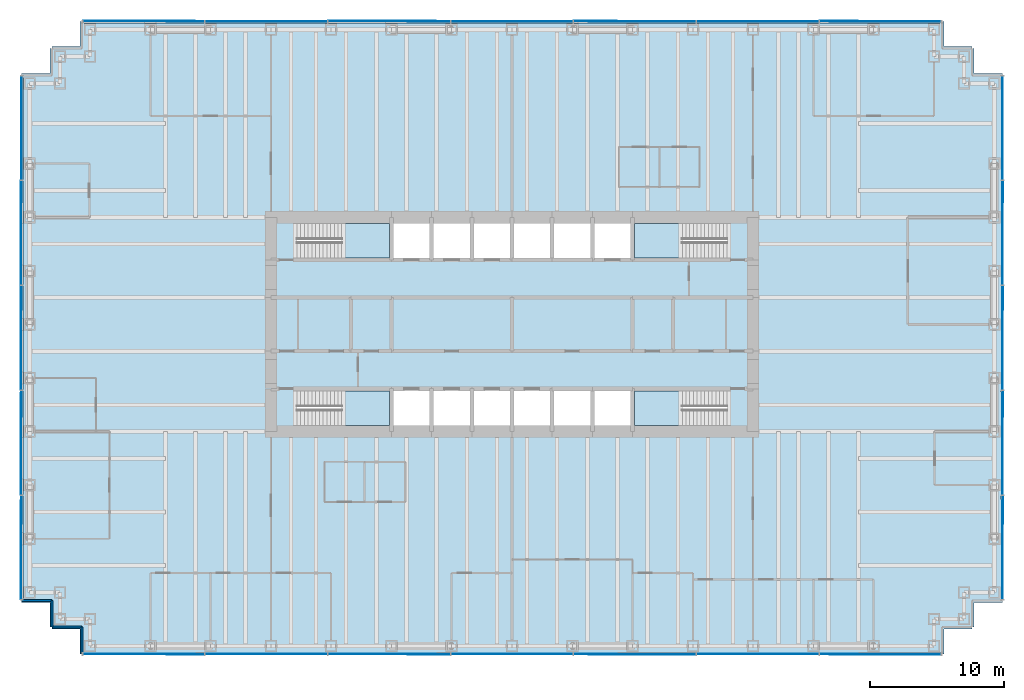
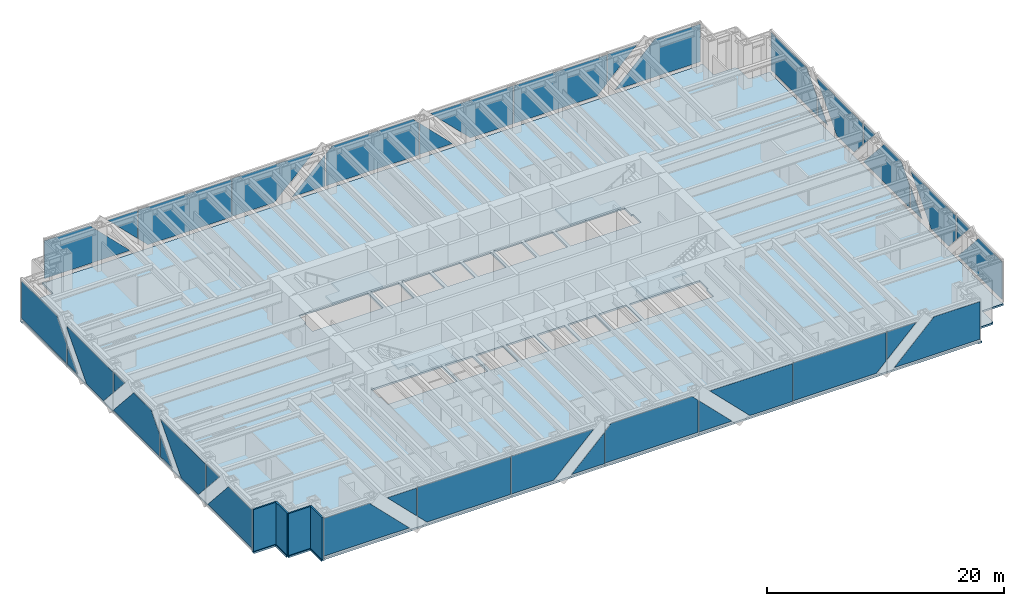
# One storey, part 8 of 13: 40 plates, 5 slabs, 4 walls, 8 elements without a shape of their own.
"""IFC4 building model written with IfcOpenShell, lengths in metres."""

from ifc_helpers import new_model, si_unit, direction, frame, frame_2d, origin, place, context, subcontext, project, spatial, polyline, rectangle, outline, extrude, material, layer, layer_set, type_object, element, aggregate, save


model = new_model("IFC4")

# Units and contexts
model_context = context("Model", 3, precision=1e-05, world=origin(), true_north=direction((0.0, 1.0)))
body_context = subcontext(model_context, "Body", "Model", "MODEL_VIEW")
ifc_project = project(units=[si_unit("LENGTHUNIT", "METRE"), si_unit("AREAUNIT", "SQUARE_METRE"), si_unit("VOLUMEUNIT", "CUBIC_METRE"), si_unit("PLANEANGLEUNIT", "RADIAN"), si_unit("MASSUNIT", "GRAM", prefix="KILO")], contexts=[model_context])

# Site, building, storey
site_placement = place(None, origin())
site = spatial("IfcSite", under=ifc_project, at=site_placement, CompositionType="ELEMENT")
building_placement = place(site_placement, origin())
building = spatial("IfcBuilding", under=site, at=building_placement, Name="Rheinbord Bourse Tower", CompositionType="ELEMENT")
storey_placement = place(building_placement, frame((0.0, 0.0, 54.5)))
storey = spatial("IfcBuildingStorey", under=building, at=storey_placement, Name="L11", CompositionType="ELEMENT", Elevation=54.5)

# Slab
ifc_material_1 = material(Name="Concrete C30/37", Category="concrete")
ifc_layer_1 = layer(ifc_material_1, 0.179931640625)
ifc_layer_set_1 = layer_set([ifc_layer_1], Name="COMPOSITE FLOOR SLAB 180")
slab_type_1 = type_object("IfcSlabType", Name="COMPOSITE FLOOR SLAB 180", PredefinedType="FLOOR", material=ifc_layer_set_1)
slab_1_placement = place(storey_placement, frame((0.0, 0.0, -0.179931640625)))
element("IfcSlab", 1, at=slab_1_placement, inside=storey, type_object=slab_type_1, Name="Floor slab L11", PredefinedType="FLOOR", context=body_context, shape_type="SweptSolid", body=[
    extrude(outline(polyline([(1.64990234375, 1.39990234375), (1.5, 1.39990234375), (1.5, 3.25), (-0.60009765625, 3.25), (-0.60009765625, 3.550048828125), (-0.5, 3.550048828125), (-0.5, 42.449951171875), (-0.60009765625, 42.449951171875), (-0.60009765625, 42.75), (1.5, 42.75), (1.5, 44.60009765625), (1.64990234375, 44.60009765625), (1.64990234375, 44.75), (3.75, 44.75), (3.75, 46.60009765625), (4.050048828125, 46.60009765625), (4.050048828125, 46.5), (67.949951171875, 46.5), (67.949951171875, 46.60009765625), (68.25, 46.60009765625), (68.25, 44.75), (70.35009765625, 44.75), (70.35009765625, 44.60009765625), (70.5, 44.60009765625), (70.5, 42.75), (72.60009765625, 42.75), (72.60009765625, 42.449951171875), (72.5, 42.449951171875), (72.5, 3.550048828125), (72.60009765625, 3.550048828125), (72.60009765625, 3.25), (70.5, 3.25), (70.5, 1.39990234375), (70.35009765625, 1.39990234375), (70.35009765625, 1.25), (68.25, 1.25), (68.25, -0.60009765625), (67.949951171875, -0.60009765625), (67.949951171875, -0.5), (4.050048828125, -0.5), (4.050048828125, -0.60009765625), (3.75, -0.60009765625), (3.75, 1.25), (1.64990234375, 1.25), (1.64990234375, 1.39990234375)]), holes=[polyline([(19.949951171875, 19.050048828125), (26.85009765625, 19.050048828125), (26.85009765625, 16.449951171875), (20.10009765625, 16.449951171875), (20.10009765625, 17.64990234375), (19.949951171875, 17.64990234375), (19.949951171875, 19.050048828125)]), polyline([(26.85009765625, 31.550048828125), (26.85009765625, 28.949951171875), (19.949951171875, 28.949951171875), (19.949951171875, 30.35009765625), (20.10009765625, 30.35009765625), (20.10009765625, 31.550048828125), (26.85009765625, 31.550048828125)]), polyline([(45.14990234375, 16.449951171875), (45.14990234375, 19.050048828125), (52.050048828125, 19.050048828125), (52.050048828125, 17.64990234375), (51.89990234375, 17.64990234375), (51.89990234375, 16.449951171875), (45.14990234375, 16.449951171875)]), polyline([(52.050048828125, 28.949951171875), (45.14990234375, 28.949951171875), (45.14990234375, 31.550048828125), (51.89990234375, 31.550048828125), (51.89990234375, 30.35009765625), (52.050048828125, 30.35009765625), (52.050048828125, 28.949951171875)]), polyline([(27.14990234375, 16.449951171875), (27.14990234375, 19.050048828125), (29.85009765625, 19.050048828125), (29.85009765625, 16.449951171875), (27.14990234375, 16.449951171875)]), polyline([(27.14990234375, 28.949951171875), (27.14990234375, 31.550048828125), (29.85009765625, 31.550048828125), (29.85009765625, 28.949951171875), (27.14990234375, 28.949951171875)]), polyline([(30.14990234375, 16.449951171875), (30.14990234375, 19.050048828125), (32.85009765625, 19.050048828125), (32.85009765625, 16.449951171875), (30.14990234375, 16.449951171875)]), polyline([(30.14990234375, 28.949951171875), (30.14990234375, 31.550048828125), (32.85009765625, 31.550048828125), (32.85009765625, 28.949951171875), (30.14990234375, 28.949951171875)]), polyline([(33.14990234375, 16.449951171875), (33.14990234375, 19.050048828125), (35.85009765625, 19.050048828125), (35.85009765625, 16.449951171875), (33.14990234375, 16.449951171875)]), polyline([(33.14990234375, 28.949951171875), (33.14990234375, 31.550048828125), (35.85009765625, 31.550048828125), (35.85009765625, 28.949951171875), (33.14990234375, 28.949951171875)]), polyline([(36.14990234375, 16.449951171875), (36.14990234375, 19.050048828125), (38.85009765625, 19.050048828125), (38.85009765625, 16.449951171875), (36.14990234375, 16.449951171875)]), polyline([(36.14990234375, 28.949951171875), (36.14990234375, 31.550048828125), (38.85009765625, 31.550048828125), (38.85009765625, 28.949951171875), (36.14990234375, 28.949951171875)]), polyline([(39.14990234375, 16.449951171875), (39.14990234375, 19.050048828125), (41.85009765625, 19.050048828125), (41.85009765625, 16.449951171875), (39.14990234375, 16.449951171875)]), polyline([(39.14990234375, 28.949951171875), (39.14990234375, 31.550048828125), (41.85009765625, 31.550048828125), (41.85009765625, 28.949951171875), (39.14990234375, 28.949951171875)]), polyline([(42.14990234375, 16.449951171875), (42.14990234375, 19.050048828125), (44.85009765625, 19.050048828125), (44.85009765625, 16.449951171875), (42.14990234375, 16.449951171875)]), polyline([(42.14990234375, 28.949951171875), (42.14990234375, 31.550048828125), (44.85009765625, 31.550048828125), (44.85009765625, 28.949951171875), (42.14990234375, 28.949951171875)])]), origin(), (0.0, 0.0, 1.0), 0.179931640625),
])

# Curtain wall, plates
ifc_material_2 = material(Name="Dark glass and black aluminium", Category="aluminium")
curtain_wall_type = type_object("IfcCurtainWallType", Name="CW1 DARK GLASS CURTAIN WALL", PredefinedType="USERDEFINED", material=ifc_material_2)
curtain_wall_1_placement = place(storey_placement, origin())
curtain_wall_1 = element("IfcCurtainWall", 2, at=curtain_wall_1_placement, inside=storey, type_object=curtain_wall_type, Name="Curtain wall CW1 S L11", ObjectType="UNITISED CURTAIN WALL", PredefinedType="USERDEFINED")
ifc_material_3 = material(Name="Dark tinted triple insulating glass", Category="glass")
ifc_layer_2 = layer(ifc_material_3, 0.0439453125)
ifc_layer_set_2 = layer_set([ifc_layer_2], Name="CW1 DARK GLASS PANEL")
plate_type = type_object("IfcPlateType", Name="CW1 DARK GLASS PANEL", PredefinedType="CURTAIN_PANEL", material=ifc_layer_set_2)
plate_1_placement = place(storey_placement, frame((3.97998046875, -0.6220703125, 0.300048828125), z_axis=(0.0, 1.0, 0.0), x_axis=(0.0, 0.0, 1.0)))
plate_1 = element("IfcPlate", 3, at=plate_1_placement, type_object=plate_type, Name="CW1 glass facet 1", PredefinedType="CURTAIN_PANEL", context=body_context, shape_type="SweptSolid", body=[
    extrude(outline(polyline([(0.0, 0.0), (3.89990234375, 0.0), (3.89990234375, 4.464111328125), (0.0, 8.364013671875), (0.0, 0.0)])), origin(), (0.0, 0.0, 1.0), 0.0439453125),
])
plate_2_placement = place(storey_placement, frame((13.031005859375, -0.6708984375, 4.199951171875), z_axis=(0.0, 1.0, 0.0), x_axis=(0.0, 0.0, -1.0)))
plate_2 = element("IfcPlate", 4, at=plate_2_placement, type_object=plate_type, Name="CW1 glass facet 2", PredefinedType="CURTAIN_PANEL", context=body_context, shape_type="SweptSolid", body=[
    extrude(outline(polyline([(0.0, 0.0), (2.8759765625, 0.0), (0.0, 2.875), (0.0, 0.0)])), origin(), (0.0, 0.0, 1.0), 0.0439453125),
])
plate_3_placement = place(storey_placement, frame((13.111083984375, -0.6220703125, 4.199951171875), z_axis=(0.0, 1.0, 0.0), x_axis=(1.0, 0.0, 0.0)))
plate_3 = element("IfcPlate", 5, at=plate_3_placement, type_object=plate_type, Name="CW1 glass facet 1", PredefinedType="CURTAIN_PANEL", context=body_context, shape_type="SweptSolid", body=[
    extrude(outline(polyline([(0.0, 0.0), (9.091796875, 0.0), (9.091796875, 3.89990234375), (0.94482421875, 3.89990234375), (0.0, 2.9560546875), (0.0, 0.0)])), origin(), (0.0, 0.0, 1.0), 0.0439453125),
])
plate_4_placement = place(storey_placement, frame((22.282958984375, -0.6220703125, 0.300048828125), z_axis=(0.0, 1.0, 0.0), x_axis=(0.0, 0.0, 1.0)))
plate_4 = element("IfcPlate", 6, at=plate_4_placement, type_object=plate_type, Name="CW1 glass facet 1", PredefinedType="CURTAIN_PANEL", context=body_context, shape_type="SweptSolid", body=[
    extrude(outline(polyline([(0.0, 0.0), (3.89990234375, 0.0), (3.89990234375, 8.06103515625), (0.0, 4.1611328125), (0.0, 0.0)])), origin(), (0.0, 0.0, 1.0), 0.0439453125),
])
plate_5_placement = place(storey_placement, frame((31.3740234375, -0.6708984375, 0.300048828125), z_axis=(0.0, 1.0, 0.0), x_axis=(-1.0, 0.0, 0.0)))
plate_5 = element("IfcPlate", 7, at=plate_5_placement, type_object=plate_type, Name="CW1 glass facet 2", PredefinedType="CURTAIN_PANEL", context=body_context, shape_type="SweptSolid", body=[
    extrude(outline(polyline([(0.0, 0.0), (3.218017578125, 0.0), (0.0, 3.218994140625), (0.0, 0.0)])), origin(), (0.0, 0.0, 1.0), 0.0439453125),
])
plate_6_placement = place(storey_placement, frame((40.5458984375, -0.6220703125, 0.300048828125), z_axis=(0.0, 1.0, 0.0), x_axis=(-1.0, 0.0, 0.0)))
plate_6 = element("IfcPlate", 8, at=plate_6_placement, type_object=plate_type, Name="CW1 glass facet 1", PredefinedType="CURTAIN_PANEL", context=body_context, shape_type="SweptSolid", body=[
    extrude(outline(polyline([(0.0, 0.0), (9.091796875, 0.0), (9.091796875, 3.299072265625), (8.489990234375, 3.89990234375), (0.601806640625, 3.89990234375), (0.0, 3.299072265625), (0.0, 0.0)])), origin(), (0.0, 0.0, 1.0), 0.0439453125),
])
plate_7_placement = place(storey_placement, frame((40.6259765625, -0.6220703125, 0.300048828125), z_axis=(0.0, 1.0, 0.0), x_axis=(0.0, 0.0, 1.0)))
plate_7 = element("IfcPlate", 9, at=plate_7_placement, type_object=plate_type, Name="CW1 glass facet 1", PredefinedType="CURTAIN_PANEL", context=body_context, shape_type="SweptSolid", body=[
    extrude(outline(polyline([(0.0, 0.0), (3.218994140625, 0.0), (0.0, 3.218017578125), (0.0, 0.0)])), origin(), (0.0, 0.0, 1.0), 0.0439453125),
])
plate_8_placement = place(storey_placement, frame((49.717041015625, -0.6708984375, 4.199951171875), z_axis=(0.0, 1.0, 0.0), x_axis=(0.0, 0.0, -1.0)))
plate_8 = element("IfcPlate", 10, at=plate_8_placement, type_object=plate_type, Name="CW1 glass facet 2", PredefinedType="CURTAIN_PANEL", context=body_context, shape_type="SweptSolid", body=[
    extrude(outline(polyline([(0.0, 0.0), (3.89990234375, 0.0), (3.89990234375, 4.1611328125), (0.0, 8.06103515625), (0.0, 0.0)])), origin(), (0.0, 0.0, 1.0), 0.0439453125),
])
plate_9_placement = place(storey_placement, frame((49.797119140625, -0.6220703125, 0.300048828125), z_axis=(0.0, 1.0, 0.0), x_axis=(0.0, 0.0, 1.0)))
plate_9 = element("IfcPlate", 11, at=plate_9_placement, type_object=plate_type, Name="CW1 glass facet 1", PredefinedType="CURTAIN_PANEL", context=body_context, shape_type="SweptSolid", body=[
    extrude(outline(polyline([(0.0, 0.0), (3.89990234375, 0.0), (3.89990234375, 9.091796875), (0.94384765625, 9.091796875), (0.0, 8.14697265625), (0.0, 0.0)])), origin(), (0.0, 0.0, 1.0), 0.0439453125),
])
plate_10_placement = place(storey_placement, frame((58.968994140625, -0.6220703125, 4.199951171875), z_axis=(0.0, 1.0, 0.0), x_axis=(1.0, 0.0, 0.0)))
plate_10 = element("IfcPlate", 12, at=plate_10_placement, type_object=plate_type, Name="CW1 glass facet 1", PredefinedType="CURTAIN_PANEL", context=body_context, shape_type="SweptSolid", body=[
    extrude(outline(polyline([(0.0, 0.0), (2.875, 0.0), (0.0, 2.8759765625), (0.0, 0.0)])), origin(), (0.0, 0.0, 1.0), 0.0439453125),
])
plate_11_placement = place(storey_placement, frame((68.02001953125, -0.6708984375, 4.199951171875), z_axis=(0.0, 1.0, 0.0), x_axis=(0.0, 0.0, -1.0)))
plate_11 = element("IfcPlate", 13, at=plate_11_placement, type_object=plate_type, Name="CW1 glass facet 2", PredefinedType="CURTAIN_PANEL", context=body_context, shape_type="SweptSolid", body=[
    extrude(outline(polyline([(0.0, 0.0), (3.89990234375, 0.0), (3.89990234375, 8.364013671875), (0.0, 4.464111328125), (0.0, 0.0)])), origin(), (0.0, 0.0, 1.0), 0.0439453125),
])
aggregate(curtain_wall_1, [plate_1, plate_2, plate_3, plate_4, plate_5, plate_6, plate_7, plate_8, plate_9, plate_10, plate_11])

curtain_wall_2_placement = place(storey_placement, origin())
curtain_wall_2 = element("IfcCurtainWall", 14, at=curtain_wall_2_placement, inside=storey, type_object=curtain_wall_type, Name="Curtain wall CW1 E L11", ObjectType="UNITISED CURTAIN WALL", PredefinedType="USERDEFINED")
plate_12_placement = place(storey_placement, frame((72.6220703125, 3.47998046875, 0.300048828125), z_axis=(-1.0, 0.0, 0.0), x_axis=(0.0, 0.0, 1.0)))
plate_12 = element("IfcPlate", 15, at=plate_12_placement, type_object=plate_type, Name="CW1 glass facet 1", PredefinedType="CURTAIN_PANEL", context=body_context, shape_type="SweptSolid", body=[
    extrude(outline(polyline([(0.0, 0.0), (3.89990234375, 0.0), (3.89990234375, 3.97705078125), (0.0, 7.444091796875), (0.0, 0.0)])), origin(), (0.0, 0.0, 1.0), 0.0439453125),
])
plate_13_placement = place(storey_placement, frame((72.6708984375, 11.199951171875, 4.199951171875), z_axis=(-1.0, 0.0, 0.0), x_axis=(0.0, 0.0, -1.0)))
plate_13 = element("IfcPlate", 16, at=plate_13_placement, type_object=plate_type, Name="CW1 glass facet 2", PredefinedType="CURTAIN_PANEL", context=body_context, shape_type="SweptSolid", body=[
    extrude(outline(polyline([(0.0, 0.0), (2.388916015625, 0.0), (0.0, 2.1240234375), (0.0, 0.0)])), origin(), (0.0, 0.0, 1.0), 0.0439453125),
])
plate_14_placement = place(storey_placement, frame((72.6220703125, 12.54296875, 0.300048828125), z_axis=(-1.0, 0.0, 0.0), x_axis=(0.0, -0.664339924963, 0.74743057477)))
plate_14 = element("IfcPlate", 17, at=plate_14_placement, type_object=plate_type, Name="CW1 glass facet 1", PredefinedType="CURTAIN_PANEL", context=body_context, shape_type="SweptSolid", body=[
    extrude(outline(polyline([(0.0, 0.0), (1.901123046875, 0.0), (3.75390625, 1.64697265625), (-1.32421875, 7.3603515625), (-1.93603515625, 2.177978515625), (0.0, 0.0)])), origin(), (0.0, 0.0, 1.0), 0.0439453125),
])
plate_15_placement = place(storey_placement, frame((72.6708984375, 19.0400390625, 0.300048828125), z_axis=(-1.0, 0.0, 0.0), x_axis=(0.0, -1.0, 0.0)))
plate_15 = element("IfcPlate", 18, at=plate_15_placement, type_object=plate_type, Name="CW1 glass facet 2", PredefinedType="CURTAIN_PANEL", context=body_context, shape_type="SweptSolid", body=[
    extrude(outline(polyline([(0.0, 0.0), (1.964111328125, 0.0), (0.0, 2.208984375), (0.0, 0.0)])), origin(), (0.0, 0.0, 1.0), 0.0439453125),
])
plate_16_placement = place(storey_placement, frame((72.6220703125, 26.8798828125, 0.300048828125), z_axis=(-1.0, 0.0, 0.0), x_axis=(0.0, -1.0, 0.0)))
plate_16 = element("IfcPlate", 19, at=plate_16_placement, type_object=plate_type, Name="CW1 glass facet 1", PredefinedType="CURTAIN_PANEL", context=body_context, shape_type="SweptSolid", body=[
    extrude(outline(polyline([(0.0, 0.0), (7.759765625, 0.0), (7.759765625, 2.299072265625), (6.3369140625, 3.89990234375), (3.4228515625, 3.89990234375), (0.0, 0.049072265625), (0.0, 0.0)])), origin(), (0.0, 0.0, 1.0), 0.0439453125),
])
plate_17_placement = place(storey_placement, frame((72.6708984375, 26.8798828125, 4.199951171875), z_axis=(-1.0, 0.0, 0.0), x_axis=(0.0, 0.0, -1.0)))
plate_17 = element("IfcPlate", 20, at=plate_17_placement, type_object=plate_type, Name="CW1 glass facet 2", PredefinedType="CURTAIN_PANEL", context=body_context, shape_type="SweptSolid", body=[
    extrude(outline(polyline([(0.0, 0.0), (2.029052734375, 0.0), (0.0, 1.803955078125), (0.0, 0.0)])), origin(), (0.0, 0.0, 1.0), 0.0439453125),
])
plate_18_placement = place(storey_placement, frame((72.6220703125, 28.54296875, 0.300048828125), z_axis=(-1.0, 0.0, 0.0), x_axis=(0.0, -0.664338400569, 0.747431929696)))
plate_18 = element("IfcPlate", 21, at=plate_18_placement, type_object=plate_type, Name="CW1 glass facet 1", PredefinedType="CURTAIN_PANEL", context=body_context, shape_type="SweptSolid", body=[
    extrude(outline(polyline([(0.0, 0.0), (2.3828125, 0.0), (3.966552734375, 1.40771484375), (-1.188720703125, 7.207763671875), (-1.35986328125, 7.0556640625), (-1.93603515625, 2.177978515625), (0.0, 0.0)])), origin(), (0.0, 0.0, 1.0), 0.0439453125),
])
plate_19_placement = place(storey_placement, frame((72.6708984375, 34.719970703125, 0.300048828125), z_axis=(-1.0, 0.0, 0.0), x_axis=(0.0, -1.0, 0.0)))
plate_19 = element("IfcPlate", 22, at=plate_19_placement, type_object=plate_type, Name="CW1 glass facet 2", PredefinedType="CURTAIN_PANEL", context=body_context, shape_type="SweptSolid", body=[
    extrude(outline(polyline([(0.0, 0.0), (1.64404296875, 0.0), (0.0, 1.848876953125), (0.0, 0.0)])), origin(), (0.0, 0.0, 1.0), 0.0439453125),
])
plate_20_placement = place(storey_placement, frame((72.6220703125, 42.52001953125, 4.199951171875), z_axis=(-1.0, 0.0, 0.0), x_axis=(0.0, 0.0, -1.0)))
plate_20 = element("IfcPlate", 23, at=plate_20_placement, type_object=plate_type, Name="CW1 glass facet 1", PredefinedType="CURTAIN_PANEL", context=body_context, shape_type="SweptSolid", body=[
    extrude(outline(polyline([(0.0, 0.0), (3.89990234375, 0.0), (3.89990234375, 7.719970703125), (1.9609375, 7.719970703125), (0.0, 5.97705078125), (0.0, 0.0)])), origin(), (0.0, 0.0, 1.0), 0.0439453125),
])
aggregate(curtain_wall_2, [plate_12, plate_13, plate_14, plate_15, plate_16, plate_17, plate_18, plate_19, plate_20])

curtain_wall_3_placement = place(storey_placement, origin())
curtain_wall_3 = element("IfcCurtainWall", 24, at=curtain_wall_3_placement, inside=storey, type_object=curtain_wall_type, Name="Curtain wall CW1 N L11", ObjectType="UNITISED CURTAIN WALL", PredefinedType="USERDEFINED")
plate_21_placement = place(storey_placement, frame((68.02001953125, 46.6220703125, 0.300048828125), z_axis=(0.0, -1.0, 0.0), x_axis=(0.0, 0.0, 1.0)))
plate_21 = element("IfcPlate", 25, at=plate_21_placement, type_object=plate_type, Name="CW1 glass facet 1", PredefinedType="CURTAIN_PANEL", context=body_context, shape_type="SweptSolid", body=[
    extrude(outline(polyline([(0.0, 0.0), (3.89990234375, 0.0), (3.89990234375, 4.464111328125), (0.0, 8.364013671875), (0.0, 0.0)])), origin(), (0.0, 0.0, 1.0), 0.0439453125),
])
plate_22_placement = place(storey_placement, frame((58.968994140625, 46.6708984375, 4.199951171875), z_axis=(0.0, -1.0, 0.0), x_axis=(0.0, 0.0, -1.0)))
plate_22 = element("IfcPlate", 26, at=plate_22_placement, type_object=plate_type, Name="CW1 glass facet 2", PredefinedType="CURTAIN_PANEL", context=body_context, shape_type="SweptSolid", body=[
    extrude(outline(polyline([(0.0, 0.0), (2.8759765625, 0.0), (0.0, 2.875), (0.0, 0.0)])), origin(), (0.0, 0.0, 1.0), 0.0439453125),
])
plate_23_placement = place(storey_placement, frame((58.888916015625, 46.6220703125, 4.199951171875), z_axis=(0.0, -1.0, 0.0), x_axis=(-1.0, 0.0, 0.0)))
plate_23 = element("IfcPlate", 27, at=plate_23_placement, type_object=plate_type, Name="CW1 glass facet 1", PredefinedType="CURTAIN_PANEL", context=body_context, shape_type="SweptSolid", body=[
    extrude(outline(polyline([(0.0, 0.0), (9.091796875, 0.0), (9.091796875, 3.89990234375), (0.94482421875, 3.89990234375), (0.0, 2.9560546875), (0.0, 0.0)])), origin(), (0.0, 0.0, 1.0), 0.0439453125),
])
plate_24_placement = place(storey_placement, frame((49.717041015625, 46.6220703125, 0.300048828125), z_axis=(0.0, -1.0, 0.0), x_axis=(0.0, 0.0, 1.0)))
plate_24 = element("IfcPlate", 28, at=plate_24_placement, type_object=plate_type, Name="CW1 glass facet 1", PredefinedType="CURTAIN_PANEL", context=body_context, shape_type="SweptSolid", body=[
    extrude(outline(polyline([(0.0, 0.0), (3.89990234375, 0.0), (3.89990234375, 8.06103515625), (0.0, 4.1611328125), (0.0, 0.0)])), origin(), (0.0, 0.0, 1.0), 0.0439453125),
])
plate_25_placement = place(storey_placement, frame((40.6259765625, 46.6708984375, 0.300048828125), z_axis=(0.0, -1.0, 0.0), x_axis=(1.0, 0.0, 0.0)))
plate_25 = element("IfcPlate", 29, at=plate_25_placement, type_object=plate_type, Name="CW1 glass facet 2", PredefinedType="CURTAIN_PANEL", context=body_context, shape_type="SweptSolid", body=[
    extrude(outline(polyline([(0.0, 0.0), (3.218017578125, 0.0), (0.0, 3.218994140625), (0.0, 0.0)])), origin(), (0.0, 0.0, 1.0), 0.0439453125),
])
plate_26_placement = place(storey_placement, frame((31.4541015625, 46.6220703125, 0.300048828125), z_axis=(0.0, -1.0, 0.0), x_axis=(1.0, 0.0, 0.0)))
plate_26 = element("IfcPlate", 30, at=plate_26_placement, type_object=plate_type, Name="CW1 glass facet 1", PredefinedType="CURTAIN_PANEL", context=body_context, shape_type="SweptSolid", body=[
    extrude(outline(polyline([(0.0, 0.0), (9.091796875, 0.0), (9.091796875, 3.299072265625), (8.489990234375, 3.89990234375), (0.601806640625, 3.89990234375), (0.0, 3.299072265625), (0.0, 0.0)])), origin(), (0.0, 0.0, 1.0), 0.0439453125),
])
plate_27_placement = place(storey_placement, frame((31.3740234375, 46.6220703125, 0.300048828125), z_axis=(0.0, -1.0, 0.0), x_axis=(0.0, 0.0, 1.0)))
plate_27 = element("IfcPlate", 31, at=plate_27_placement, type_object=plate_type, Name="CW1 glass facet 1", PredefinedType="CURTAIN_PANEL", context=body_context, shape_type="SweptSolid", body=[
    extrude(outline(polyline([(0.0, 0.0), (3.218994140625, 0.0), (0.0, 3.218017578125), (0.0, 0.0)])), origin(), (0.0, 0.0, 1.0), 0.0439453125),
])
plate_28_placement = place(storey_placement, frame((22.282958984375, 46.6708984375, 4.199951171875), z_axis=(0.0, -1.0, 0.0), x_axis=(0.0, 0.0, -1.0)))
plate_28 = element("IfcPlate", 32, at=plate_28_placement, type_object=plate_type, Name="CW1 glass facet 2", PredefinedType="CURTAIN_PANEL", context=body_context, shape_type="SweptSolid", body=[
    extrude(outline(polyline([(0.0, 0.0), (3.89990234375, 0.0), (3.89990234375, 4.1611328125), (0.0, 8.06103515625), (0.0, 0.0)])), origin(), (0.0, 0.0, 1.0), 0.0439453125),
])
plate_29_placement = place(storey_placement, frame((22.202880859375, 46.6220703125, 0.300048828125), z_axis=(0.0, -1.0, 0.0), x_axis=(0.0, 0.0, 1.0)))
plate_29 = element("IfcPlate", 33, at=plate_29_placement, type_object=plate_type, Name="CW1 glass facet 1", PredefinedType="CURTAIN_PANEL", context=body_context, shape_type="SweptSolid", body=[
    extrude(outline(polyline([(0.0, 0.0), (3.89990234375, 0.0), (3.89990234375, 9.091796875), (0.94384765625, 9.091796875), (0.0, 8.14697265625), (0.0, 0.0)])), origin(), (0.0, 0.0, 1.0), 0.0439453125),
])
plate_30_placement = place(storey_placement, frame((13.031005859375, 46.6220703125, 4.199951171875), z_axis=(0.0, -1.0, 0.0), x_axis=(-1.0, 0.0, 0.0)))
plate_30 = element("IfcPlate", 34, at=plate_30_placement, type_object=plate_type, Name="CW1 glass facet 1", PredefinedType="CURTAIN_PANEL", context=body_context, shape_type="SweptSolid", body=[
    extrude(outline(polyline([(0.0, 0.0), (2.875, 0.0), (0.0, 2.8759765625), (0.0, 0.0)])), origin(), (0.0, 0.0, 1.0), 0.0439453125),
])
plate_31_placement = place(storey_placement, frame((3.97998046875, 46.6708984375, 4.199951171875), z_axis=(0.0, -1.0, 0.0), x_axis=(0.0, 0.0, -1.0)))
plate_31 = element("IfcPlate", 35, at=plate_31_placement, type_object=plate_type, Name="CW1 glass facet 2", PredefinedType="CURTAIN_PANEL", context=body_context, shape_type="SweptSolid", body=[
    extrude(outline(polyline([(0.0, 0.0), (3.89990234375, 0.0), (3.89990234375, 8.364013671875), (0.0, 4.464111328125), (0.0, 0.0)])), origin(), (0.0, 0.0, 1.0), 0.0439453125),
])
aggregate(curtain_wall_3, [plate_21, plate_22, plate_23, plate_24, plate_25, plate_26, plate_27, plate_28, plate_29, plate_30, plate_31])

curtain_wall_4_placement = place(storey_placement, origin())
curtain_wall_4 = element("IfcCurtainWall", 36, at=curtain_wall_4_placement, inside=storey, type_object=curtain_wall_type, Name="Curtain wall CW1 W L11", ObjectType="UNITISED CURTAIN WALL", PredefinedType="USERDEFINED")
plate_32_placement = place(storey_placement, frame((-0.6220703125, 34.800048828125, 0.300048828125), z_axis=(1.0, 0.0, 0.0), x_axis=(0.0, 1.0, 0.0)))
plate_32 = element("IfcPlate", 37, at=plate_32_placement, type_object=plate_type, Name="CW1 glass facet 1", PredefinedType="CURTAIN_PANEL", context=body_context, shape_type="SweptSolid", body=[
    extrude(outline(polyline([(0.0, 0.0), (7.719970703125, 0.0), (7.719970703125, 3.89990234375), (1.742919921875, 3.89990234375), (0.0, 1.93896484375), (0.0, 0.0)])), origin(), (0.0, 0.0, 1.0), 0.0439453125),
])
plate_33_placement = place(storey_placement, frame((-0.6220703125, 34.719970703125, 0.300048828125), z_axis=(1.0, 0.0, 0.0), x_axis=(0.0, 0.0, 1.0)))
plate_33 = element("IfcPlate", 38, at=plate_33_placement, type_object=plate_type, Name="CW1 glass facet 1", PredefinedType="CURTAIN_PANEL", context=body_context, shape_type="SweptSolid", body=[
    extrude(outline(polyline([(0.0, 0.0), (1.848876953125, 0.0), (0.0, 1.64404296875), (0.0, 0.0)])), origin(), (0.0, 0.0, 1.0), 0.0439453125),
])
plate_34_placement = place(storey_placement, frame((-0.6708984375, 31.45703125, 0.300048828125), z_axis=(1.0, 0.0, 0.0), x_axis=(0.0, 0.664354582707, 0.747417546246)))
plate_34 = element("IfcPlate", 39, at=plate_34_placement, type_object=plate_type, Name="CW1 glass facet 2", PredefinedType="CURTAIN_PANEL", context=body_context, shape_type="SweptSolid", body=[
    extrude(outline(polyline([(0.0, 0.0), (4.911376953125, 0.0), (5.08251953125, 0.152099609375), (-0.07275390625, 5.9521484375), (-1.656494140625, 4.54443359375), (-1.93603515625, 2.177978515625), (0.0, 0.0)])), origin(), (0.0, 0.0, 1.0), 0.0439453125),
])
plate_35_placement = place(storey_placement, frame((-0.6220703125, 26.8798828125, 4.199951171875), z_axis=(1.0, 0.0, 0.0), x_axis=(0.0, -1.0, 0.0)))
plate_35 = element("IfcPlate", 40, at=plate_35_placement, type_object=plate_type, Name="CW1 glass facet 1", PredefinedType="CURTAIN_PANEL", context=body_context, shape_type="SweptSolid", body=[
    extrude(outline(polyline([(0.0, 0.0), (1.803955078125, 0.0), (0.0, 2.029052734375), (0.0, 0.0)])), origin(), (0.0, 0.0, 1.0), 0.0439453125),
])
plate_36_placement = place(storey_placement, frame((-0.6708984375, 19.1201171875, 0.300048828125), z_axis=(1.0, 0.0, 0.0), x_axis=(0.0, 1.0, 0.0)))
plate_36 = element("IfcPlate", 41, at=plate_36_placement, type_object=plate_type, Name="CW1 glass facet 2", PredefinedType="CURTAIN_PANEL", context=body_context, shape_type="SweptSolid", body=[
    extrude(outline(polyline([(0.0, 0.0), (7.759765625, 0.0), (7.759765625, 0.049072265625), (4.3369140625, 3.89990234375), (1.4228515625, 3.89990234375), (0.0, 2.299072265625), (0.0, 0.0)])), origin(), (0.0, 0.0, 1.0), 0.0439453125),
])
plate_37_placement = place(storey_placement, frame((-0.6220703125, 19.0400390625, 0.300048828125), z_axis=(1.0, 0.0, 0.0), x_axis=(0.0, 0.0, 1.0)))
plate_37 = element("IfcPlate", 42, at=plate_37_placement, type_object=plate_type, Name="CW1 glass facet 1", PredefinedType="CURTAIN_PANEL", context=body_context, shape_type="SweptSolid", body=[
    extrude(outline(polyline([(0.0, 0.0), (2.208984375, 0.0), (0.0, 1.964111328125), (0.0, 0.0)])), origin(), (0.0, 0.0, 1.0), 0.0439453125),
])
plate_38_placement = place(storey_placement, frame((-0.6708984375, 15.45703125, 0.300048828125), z_axis=(1.0, 0.0, 0.0), x_axis=(0.0, 0.664413205065, 0.747365434667)))
plate_38 = element("IfcPlate", 43, at=plate_38_placement, type_object=plate_type, Name="CW1 glass facet 2", PredefinedType="CURTAIN_PANEL", context=body_context, shape_type="SweptSolid", body=[
    extrude(outline(polyline([(0.0, 0.0), (5.21826171875, 0.0), (0.139404296875, 5.712890625), (-1.71337890625, 4.06591796875), (-1.93603515625, 2.177978515625), (0.0, 0.0)])), origin(), (0.0, 0.0, 1.0), 0.0439453125),
])
plate_39_placement = place(storey_placement, frame((-0.6220703125, 11.199951171875, 4.199951171875), z_axis=(1.0, 0.0, 0.0), x_axis=(0.0, -1.0, 0.0)))
plate_39 = element("IfcPlate", 44, at=plate_39_placement, type_object=plate_type, Name="CW1 glass facet 1", PredefinedType="CURTAIN_PANEL", context=body_context, shape_type="SweptSolid", body=[
    extrude(outline(polyline([(0.0, 0.0), (2.1240234375, 0.0), (0.0, 2.388916015625), (0.0, 0.0)])), origin(), (0.0, 0.0, 1.0), 0.0439453125),
])
plate_40_placement = place(storey_placement, frame((-0.6708984375, 3.47998046875, 4.199951171875), z_axis=(1.0, 0.0, 0.0), x_axis=(0.0, 0.0, -1.0)))
plate_40 = element("IfcPlate", 45, at=plate_40_placement, type_object=plate_type, Name="CW1 glass facet 2", PredefinedType="CURTAIN_PANEL", context=body_context, shape_type="SweptSolid", body=[
    extrude(outline(polyline([(0.0, 0.0), (3.89990234375, 0.0), (3.89990234375, 7.444091796875), (0.0, 3.97705078125), (0.0, 0.0)])), origin(), (0.0, 0.0, 1.0), 0.0439453125),
])
aggregate(curtain_wall_4, [plate_32, plate_33, plate_34, plate_35, plate_36, plate_37, plate_38, plate_39, plate_40])

# Stair, slab
ifc_material_4 = material(Name="Concrete C30/37", Category="concrete")
stair_type = type_object("IfcStairType", Name="CORE STAIR HALF TURN 4500", PredefinedType="HALF_TURN_STAIR", material=ifc_material_4)
stair_1_placement = place(storey_placement, origin())
stair_1 = element("IfcStair", 46, at=stair_1_placement, inside=storey, type_object=stair_type, Name="Stair ST1 L11, type CS4", PredefinedType="HALF_TURN_STAIR")
ifc_material_5 = material(Name="Concrete C30/37", Category="concrete")
ifc_layer_3 = layer(ifc_material_5, 0.199951171875)
ifc_layer_set_3 = layer_set([ifc_layer_3], Name="STAIR LANDING 200")
slab_type_2 = type_object("IfcSlabType", Name="STAIR LANDING 200", PredefinedType="LANDING", material=ifc_layer_set_3)
slab_2_placement = place(storey_placement, frame((0.0, 0.0, 2.050048828125)))
slab_2 = element("IfcSlab", 47, at=slab_2_placement, type_object=slab_type_2, Name="Half landing ST1 L11", PredefinedType="LANDING", context=body_context, shape_type="SweptSolid", body=[
    extrude(outline(polyline([(23.31005859375, 16.449951171875), (26.85009765625, 16.449951171875), (26.85009765625, 19.050048828125), (21.916015625, 19.050048828125), (21.916015625, 17.85009765625), (23.31005859375, 17.85009765625), (23.31005859375, 16.449951171875)])), origin(), (0.0, 0.0, 1.0), 0.199951171875),
])
aggregate(stair_1, [slab_2])

stair_2_placement = place(storey_placement, origin())
stair_2 = element("IfcStair", 48, at=stair_2_placement, inside=storey, type_object=stair_type, Name="Stair ST2 L11, type CS4", PredefinedType="HALF_TURN_STAIR")
slab_3_placement = place(storey_placement, frame((0.0, 0.0, 2.050048828125)))
slab_3 = element("IfcSlab", 49, at=slab_3_placement, type_object=slab_type_2, Name="Half landing ST2 L11", PredefinedType="LANDING", context=body_context, shape_type="SweptSolid", body=[
    extrude(outline(polyline([(21.916015625, 28.949951171875), (26.85009765625, 28.949951171875), (26.85009765625, 31.550048828125), (23.31005859375, 31.550048828125), (23.31005859375, 30.14990234375), (21.916015625, 30.14990234375), (21.916015625, 28.949951171875)])), origin(), (0.0, 0.0, 1.0), 0.199951171875),
])
aggregate(stair_2, [slab_3])

stair_3_placement = place(storey_placement, origin())
stair_3 = element("IfcStair", 50, at=stair_3_placement, inside=storey, type_object=stair_type, Name="Stair ST3 L11, type CS4", PredefinedType="HALF_TURN_STAIR")
slab_4_placement = place(storey_placement, frame((0.0, 0.0, 2.050048828125)))
slab_4 = element("IfcSlab", 51, at=slab_4_placement, type_object=slab_type_2, Name="Half landing ST3 L11", PredefinedType="LANDING", context=body_context, shape_type="SweptSolid", body=[
    extrude(outline(polyline([(45.14990234375, 16.449951171875), (48.68994140625, 16.449951171875), (48.68994140625, 17.85009765625), (50.083984375, 17.85009765625), (50.083984375, 19.050048828125), (45.14990234375, 19.050048828125), (45.14990234375, 16.449951171875)])), origin(), (0.0, 0.0, 1.0), 0.199951171875),
])
aggregate(stair_3, [slab_4])

stair_4_placement = place(storey_placement, origin())
stair_4 = element("IfcStair", 52, at=stair_4_placement, inside=storey, type_object=stair_type, Name="Stair ST4 L11, type CS4", PredefinedType="HALF_TURN_STAIR")
slab_5_placement = place(storey_placement, frame((0.0, 0.0, 2.050048828125)))
slab_5 = element("IfcSlab", 53, at=slab_5_placement, type_object=slab_type_2, Name="Half landing ST4 L11", PredefinedType="LANDING", context=body_context, shape_type="SweptSolid", body=[
    extrude(outline(polyline([(45.14990234375, 28.949951171875), (50.083984375, 28.949951171875), (50.083984375, 30.14990234375), (48.68994140625, 30.14990234375), (48.68994140625, 31.550048828125), (45.14990234375, 31.550048828125), (45.14990234375, 28.949951171875)])), origin(), (0.0, 0.0, 1.0), 0.199951171875),
])
aggregate(stair_4, [slab_5])

# Walls
ifc_material_6 = material(Name="Black metal rainscreen panel", Category="aluminium")
ifc_layer_4 = layer(ifc_material_6, 0.14990234375)
ifc_layer_set_4 = layer_set([ifc_layer_4], Name="CORNER PIER CLADDING 150")
wall_type = type_object("IfcWallType", Name="CORNER PIER CLADDING 150", PredefinedType="ELEMENTEDWALL", material=ifc_layer_set_4)
wall_1_placement = place(storey_placement, frame((-0.60009765625, 3.39990234375, 0.0), z_axis=(0.0, 0.0, 1.0), x_axis=(1.0, 0.0, 0.0)))
element("IfcWall", 54, at=wall_1_placement, inside=storey, type_object=wall_type, Name="Corner pier cladding L11 17", PredefinedType="ELEMENTEDWALL", context=body_context, shape_type="SweptSolid", body=[
    extrude(rectangle(XDim=2.25, YDim=0.14990234375, at=frame_2d((1.125, 0.0))), origin(), (0.0, 0.0, 1.0), 4.320068359375),
])
wall_2_placement = place(storey_placement, frame((1.64990234375, 3.39990234375, 0.0), z_axis=(0.0, 0.0, 1.0), x_axis=(0.0, -1.0, 0.0)))
element("IfcWall", 55, at=wall_2_placement, inside=storey, type_object=wall_type, Name="Corner pier cladding L11 18", PredefinedType="ELEMENTEDWALL", context=body_context, shape_type="SweptSolid", body=[
    extrude(rectangle(XDim=2.0, YDim=0.14990234375, at=frame_2d((1.0, 0.0))), origin(), (0.0, 0.0, 1.0), 4.320068359375),
])
wall_3_placement = place(storey_placement, frame((1.64990234375, 1.39990234375, 0.0), z_axis=(0.0, 0.0, 1.0), x_axis=(1.0, 0.0, 0.0)))
element("IfcWall", 56, at=wall_3_placement, inside=storey, type_object=wall_type, Name="Corner pier cladding L11 19", PredefinedType="ELEMENTEDWALL", context=body_context, shape_type="SweptSolid", body=[
    extrude(rectangle(XDim=2.25, YDim=0.14990234375, at=frame_2d((1.125, 0.0))), origin(), (0.0, 0.0, 1.0), 4.320068359375),
])
wall_4_placement = place(storey_placement, frame((3.89990234375, 1.39990234375, 0.0), z_axis=(0.0, 0.0, 1.0), x_axis=(0.0, -1.0, 0.0)))
element("IfcWall", 57, at=wall_4_placement, inside=storey, type_object=wall_type, Name="Corner pier cladding L11 20", PredefinedType="ELEMENTEDWALL", context=body_context, shape_type="SweptSolid", body=[
    extrude(rectangle(XDim=2.0, YDim=0.14990234375, at=frame_2d((1.0, 0.0))), origin(), (0.0, 0.0, 1.0), 4.320068359375),
])

save(model, "model.ifc")
